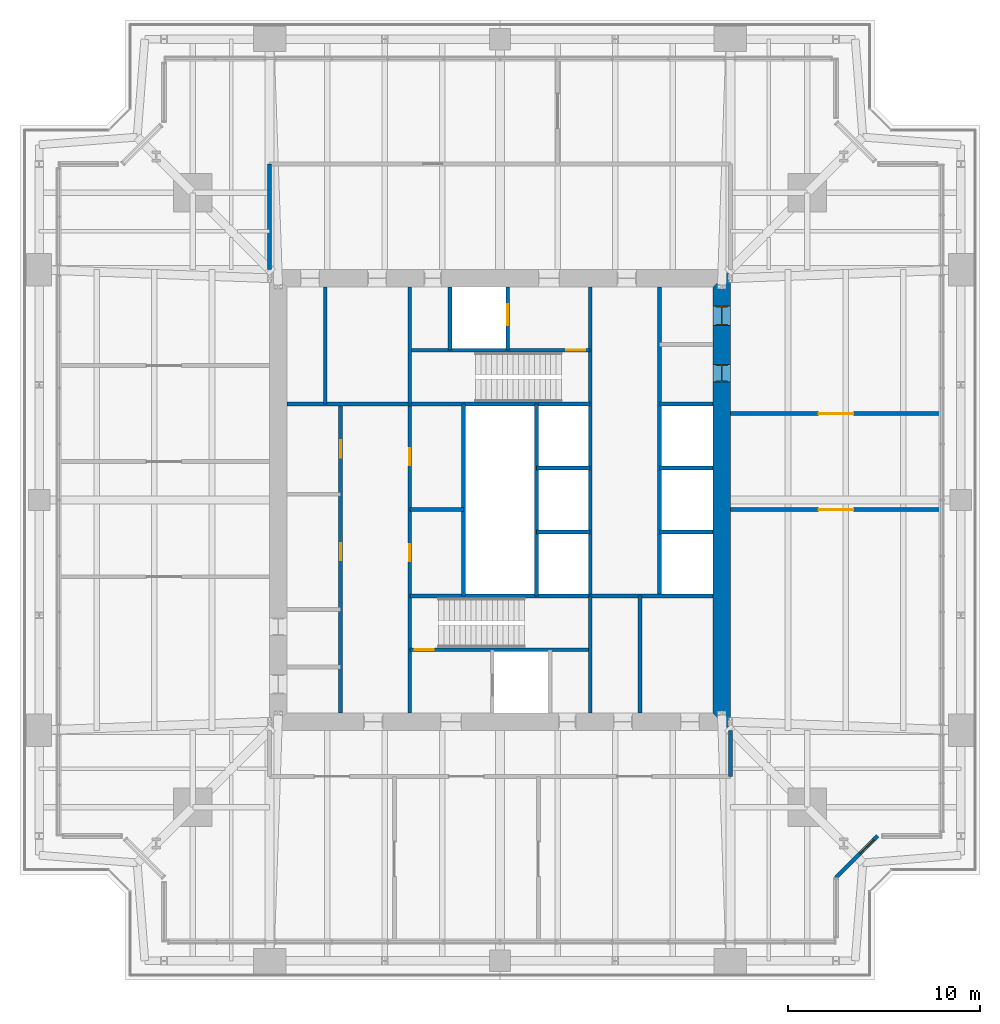
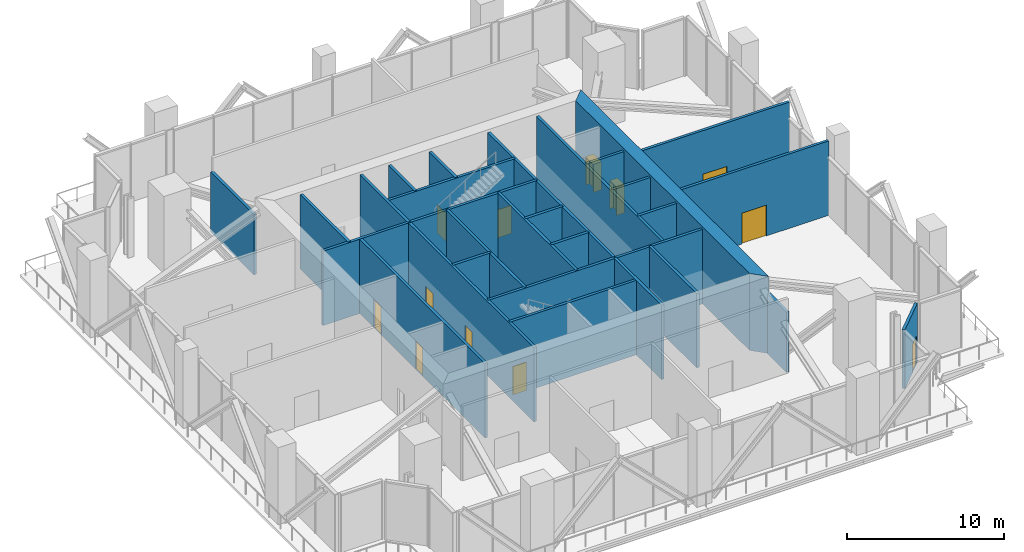
# One storey, part 10 of 14: 28 walls, 12 doors, 12 openings.
"""IFC4 building model written with IfcOpenShell, lengths in metres."""

from ifc_helpers import new_model, si_unit, direction, frame, frame_2d, origin, place, context, subcontext, project, spatial, polyline, rectangle, outline, extrude, material, layer, layer_set, type_object, element, fill, save


model = new_model("IFC4")

# Units and contexts
model_context = context("Model", 3, precision=1e-05, world=origin(), true_north=direction((0.0, 1.0)))
body_context = subcontext(model_context, "Body", "Model", "MODEL_VIEW")
ifc_project = project(units=[si_unit("LENGTHUNIT", "METRE"), si_unit("AREAUNIT", "SQUARE_METRE"), si_unit("VOLUMEUNIT", "CUBIC_METRE"), si_unit("PLANEANGLEUNIT", "RADIAN"), si_unit("MASSUNIT", "GRAM", prefix="KILO")], contexts=[model_context])

# Site, building, storey
site_placement = place(None, origin())
site = spatial("IfcSite", under=ifc_project, at=site_placement, CompositionType="ELEMENT")
building_placement = place(site_placement, origin())
building = spatial("IfcBuilding", under=site, at=building_placement, Name="Fenwick Lantern Interchange", CompositionType="ELEMENT")
storey_placement = place(building_placement, frame((0.0, 0.0, 233.800048828125)))
storey = spatial("IfcBuildingStorey", under=building, at=storey_placement, Name="L55", CompositionType="ELEMENT", Elevation=233.800048828125)

# Wall, openings, doors
ifc_material_1 = material(Name="Concrete masonry ASTM C90 Grade N", Category="masonry")
ifc_layer_1 = layer(ifc_material_1, 0.199951171875)
ifc_layer_set_1 = layer_set([ifc_layer_1], Name="Concrete masonry ASTM C90 Grade N")
wall_type_1 = type_object("IfcWallType", Name="CORE PARTITION 200", PredefinedType="PARTITIONING", material=ifc_layer_set_1)
wall_1_placement = place(storey_placement, frame((16.699951171875, 13.89990234375, 0.0), z_axis=(0.0, 0.0, 1.0), x_axis=(0.0, 1.0, 0.0)))
wall_1 = element("IfcWall", 1, at=wall_1_placement, inside=storey, type_object=wall_type_1, Name="L55/W/CORES/a", PredefinedType="PARTITIONING", context=body_context, shape_type="SweptSolid", body=[
    extrude(rectangle(XDim=16.10009765625, YDim=0.199951171875, at=frame_2d((8.050048828125, 0.0))), origin(), (0.0, 0.0, 1.0), 5.800048828125),
])
opening_1_placement = place(wall_1_placement, frame((7.949951171875, 0.0, 0.0)))
opening_1 = element("IfcOpeningElement", 2, at=opening_1_placement, cuts=wall_1, Name="Opening L55-D010", PredefinedType="OPENING", context=body_context, shape_type="SweptSolid", body=[
    extrude(rectangle(XDim=0.89990234375, YDim=2.199951171875, at=frame_2d((0.449951171875, 1.10009765625))), frame((0.0, 0.10986328125, 0.0), z_axis=(0.0, -1.0, 0.0), x_axis=(1.0, 0.0, 0.0)), (0.0, 0.0, 1.0), 0.219970703125),
])
opening_2_placement = place(wall_1_placement, frame((13.300048828125, 0.0, 0.0)))
opening_2 = element("IfcOpeningElement", 3, at=opening_2_placement, cuts=wall_1, Name="Opening L55-D011", PredefinedType="OPENING", context=body_context, shape_type="SweptSolid", body=[
    extrude(rectangle(XDim=0.89990234375, YDim=2.199951171875, at=frame_2d((0.449951171875, 1.10009765625))), frame((0.0, 0.10986328125, 0.0), z_axis=(0.0, -1.0, 0.0), x_axis=(1.0, 0.0, 0.0)), (0.0, 0.0, 1.0), 0.219970703125),
])
ifc_material_2 = material(Name="Steel door and frame", Category="steel")
door_type_1 = type_object("IfcDoorType", Name="SERVICE DOOR 900 X 2200", OperationType="SINGLE_SWING_LEFT", PredefinedType="DOOR", material=ifc_material_2)
door_1_placement = place(opening_1_placement, origin())
door_1 = element("IfcDoor", 4, at=door_1_placement, inside=storey, type_object=door_type_1, Name="Service door", OperationType="SINGLE_SWING_LEFT", OverallHeight=2.199951171875, OverallWidth=0.89990234375, PredefinedType="DOOR", context=body_context, shape_type="SweptSolid", body=[
    extrude(rectangle(XDim=0.89990234375, YDim=2.199951171875, at=frame_2d((0.449951171875, 1.10009765625))), frame((0.0, 0.02490234375, 0.0), z_axis=(0.0, -1.0, 0.0), x_axis=(1.0, 0.0, 0.0)), (0.0, 0.0, 1.0), 0.050048828125),
])
fill(opening_1, door_1)
door_2_placement = place(opening_2_placement, origin())
door_2 = element("IfcDoor", 5, at=door_2_placement, inside=storey, type_object=door_type_1, Name="Service door", OperationType="SINGLE_SWING_LEFT", OverallHeight=2.199951171875, OverallWidth=0.89990234375, PredefinedType="DOOR", context=body_context, shape_type="SweptSolid", body=[
    extrude(rectangle(XDim=0.89990234375, YDim=2.199951171875, at=frame_2d((0.449951171875, 1.10009765625))), frame((0.0, 0.02490234375, 0.0), z_axis=(0.0, -1.0, 0.0), x_axis=(1.0, 0.0, 0.0)), (0.0, 0.0, 1.0), 0.050048828125),
])
fill(opening_2, door_2)

# Walls
wall_2_placement = place(storey_placement, frame((23.10009765625, 20.0, 0.0), z_axis=(0.0, 0.0, 1.0), x_axis=(0.0, 1.0, 0.0)))
element("IfcWall", 6, at=wall_2_placement, inside=storey, type_object=wall_type_1, Name="L55/W/CORES/e3", PredefinedType="PARTITIONING", context=body_context, shape_type="SweptSolid", body=[
    extrude(rectangle(XDim=10.0, YDim=0.199951171875, at=frame_2d((5.0, 0.0))), origin(), (0.0, 0.0, 1.0), 5.800048828125),
])
wall_3_placement = place(storey_placement, frame((32.300048828125, 13.89990234375, 0.0), z_axis=(0.0, 0.0, 1.0), x_axis=(0.0, 1.0, 0.0)))
element("IfcWall", 7, at=wall_3_placement, inside=storey, type_object=wall_type_1, Name="L55/W/CORES/i2", PredefinedType="PARTITIONING", context=body_context, shape_type="SweptSolid", body=[
    extrude(rectangle(XDim=6.10009765625, YDim=0.199951171875, at=frame_2d((3.050048828125, 0.0))), origin(), (0.0, 0.0, 1.0), 5.800048828125),
])
wall_4_placement = place(storey_placement, frame((20.300048828125, 24.5, 0.0), z_axis=(0.0, 0.0, 1.0), x_axis=(1.0, 0.0, 0.0)))
element("IfcWall", 8, at=wall_4_placement, inside=storey, type_object=wall_type_1, Name="L55/W/CORES/q1", PredefinedType="PARTITIONING", context=body_context, shape_type="SweptSolid", body=[
    extrude(rectangle(XDim=2.800048828125, YDim=0.199951171875, at=frame_2d((1.39990234375, 0.0))), origin(), (0.0, 0.0, 1.0), 5.800048828125),
])
wall_5_placement = place(storey_placement, frame((33.300048828125, 36.10009765625, 0.0), z_axis=(0.0, 0.0, 1.0), x_axis=(0.0, -1.0, 0.0)))
element("IfcWall", 9, at=wall_5_placement, inside=storey, type_object=wall_type_1, Name="L55/W/COREN/a", PredefinedType="PARTITIONING", context=body_context, shape_type="SweptSolid", body=[
    extrude(rectangle(XDim=16.10009765625, YDim=0.199951171875, at=frame_2d((8.050048828125, 0.0))), origin(), (0.0, 0.0, 1.0), 5.800048828125),
])
for number, where, z_axis, x_axis, name in (
    (10, (36.10009765625, 30.0, 0.0), (0.0, 0.0, 1.0), (-1.0, 0.0, 0.0), "L55/W/COREN/c2"),
    (11, (36.10009765625, 26.666748046875, 0.0), (0.0, 0.0, 1.0), (-1.0, 0.0, 0.0), "L55/W/COREN/d1"),
    (12, (36.10009765625, 23.333251953125, 0.0), (0.0, 0.0, 1.0), (-1.0, 0.0, 0.0), "L55/W/COREN/d2"),
    (13, (29.699951171875, 26.666748046875, 0.0), (0.0, 0.0, 1.0), (-1.0, 0.0, 0.0), "L55/W/COREN/e1"),
    (14, (29.699951171875, 23.333251953125, 0.0), (0.0, 0.0, 1.0), (-1.0, 0.0, 0.0), "L55/W/COREN/e2"),
):
    element("IfcWall", number, at=place(storey_placement, frame(where, z_axis=z_axis, x_axis=x_axis)), inside=storey, type_object=wall_type_1, Name=name, PredefinedType="PARTITIONING", context=body_context, shape_type="SweptSolid", body=[
        extrude(rectangle(XDim=2.800048828125, YDim=0.199951171875, at=frame_2d((1.39990234375, 0.0))), origin(), (0.0, 0.0, 1.0), 5.800048828125),
    ])
wall_6_placement = place(storey_placement, frame((26.89990234375, 30.0, 0.0), z_axis=(0.0, 0.0, 1.0), x_axis=(0.0, -1.0, 0.0)))
element("IfcWall", 15, at=wall_6_placement, inside=storey, type_object=wall_type_1, Name="L55/W/COREN/e3", PredefinedType="PARTITIONING", context=body_context, shape_type="SweptSolid", body=[
    extrude(rectangle(XDim=10.0, YDim=0.199951171875, at=frame_2d((5.0, 0.0))), origin(), (0.0, 0.0, 1.0), 5.800048828125),
])

# Wall, opening, door
wall_7_placement = place(storey_placement, frame((25.39990234375, 36.10009765625, 0.0), z_axis=(0.0, 0.0, 1.0), x_axis=(0.0, -1.0, 0.0)))
wall_7 = element("IfcWall", 16, at=wall_7_placement, inside=storey, type_object=wall_type_1, Name="L55/W/COREN/h1", PredefinedType="PARTITIONING", context=body_context, shape_type="SweptSolid", body=[
    extrude(rectangle(XDim=3.300048828125, YDim=0.199951171875, at=frame_2d((1.64990234375, 0.0))), origin(), (0.0, 0.0, 1.0), 5.800048828125),
])
opening_3_placement = place(wall_7_placement, frame((0.89990234375, 0.0, 0.0)))
opening_3 = element("IfcOpeningElement", 17, at=opening_3_placement, cuts=wall_7, Name="Opening LD-FL2", PredefinedType="OPENING", context=body_context, shape_type="SweptSolid", body=[
    extrude(rectangle(XDim=1.10009765625, YDim=2.199951171875, at=frame_2d((0.550048828125, 1.10009765625))), frame((0.0, 0.10986328125, 0.0), z_axis=(0.0, -1.0, 0.0), x_axis=(1.0, 0.0, 0.0)), (0.0, 0.0, 1.0), 0.219970703125),
])
door_type_2 = type_object("IfcDoorType", Name="LIFT LANDING DOOR 1100 X 2200", OperationType="DOUBLE_DOOR_SLIDING", PredefinedType="DOOR", material=ifc_material_2)
door_3_placement = place(opening_3_placement, origin())
door_3 = element("IfcDoor", 18, at=door_3_placement, inside=storey, type_object=door_type_2, Name="Lift landing door FL2", OperationType="DOUBLE_DOOR_SLIDING", OverallHeight=2.199951171875, OverallWidth=1.10009765625, PredefinedType="DOOR", context=body_context, shape_type="SweptSolid", body=[
    extrude(rectangle(XDim=1.10009765625, YDim=2.199951171875, at=frame_2d((0.550048828125, 1.10009765625))), frame((0.0, 0.02490234375, 0.0), z_axis=(0.0, -1.0, 0.0), x_axis=(1.0, 0.0, 0.0)), (0.0, 0.0, 1.0), 0.050048828125),
])
fill(opening_3, door_3)

# Walls
wall_8_placement = place(storey_placement, frame((22.39990234375, 36.10009765625, 0.0), z_axis=(0.0, 0.0, 1.0), x_axis=(0.0, -1.0, 0.0)))
element("IfcWall", 19, at=wall_8_placement, inside=storey, type_object=wall_type_1, Name="L55/W/COREN/h2", PredefinedType="PARTITIONING", context=body_context, shape_type="SweptSolid", body=[
    extrude(rectangle(XDim=3.300048828125, YDim=0.199951171875, at=frame_2d((1.64990234375, 0.0))), origin(), (0.0, 0.0, 1.0), 5.800048828125),
])
wall_9_placement = place(storey_placement, frame((15.89990234375, 36.10009765625, 0.0), z_axis=(0.0, 0.0, 1.0), x_axis=(0.0, -1.0, 0.0)))
element("IfcWall", 20, at=wall_9_placement, inside=storey, type_object=wall_type_1, Name="L55/W/COREN/i2", PredefinedType="PARTITIONING", context=body_context, shape_type="SweptSolid", body=[
    extrude(rectangle(XDim=6.10009765625, YDim=0.199951171875, at=frame_2d((3.050048828125, 0.0))), origin(), (0.0, 0.0, 1.0), 5.800048828125),
])

# Wall, openings, doors
ifc_material_3 = material(Name="Concrete f'c 70 MPa", Category="concrete")
ifc_layer_2 = layer(ifc_material_3, 0.89990234375)
ifc_layer_set_2 = layer_set([ifc_layer_2], Name="CORE WALL 900")
wall_type_2 = type_object("IfcWallType", Name="CORE WALL 900", PredefinedType="SHEAR", material=ifc_layer_set_2)
wall_10_placement = place(storey_placement, frame((36.550048828125, 13.89990234375, 0.0), z_axis=(0.0, 0.0, 1.0), x_axis=(0.0, 1.0, 0.0)))
wall_10 = element("IfcWall", 21, at=wall_10_placement, inside=storey, type_object=wall_type_2, Name="L55/CORE/E", PredefinedType="SHEAR", context=body_context, shape_type="SweptSolid", body=[
    extrude(outline(polyline([(-0.89990234375, -0.449951171875), (23.10009765625, -0.449951171875), (22.199951171875, 0.449951171875), (0.0, 0.449951171875), (-0.89990234375, -0.449951171875)])), origin(), (0.0, 0.0, 1.0), 6.0),
])
opening_4_placement = place(wall_10_placement, frame((20.199951171875, 0.0, 0.0)))
opening_4 = element("IfcOpeningElement", 22, at=opening_4_placement, cuts=wall_10, Name="Opening L55-D020", PredefinedType="OPENING", context=body_context, shape_type="SweptSolid", body=[
    extrude(rectangle(XDim=1.0, YDim=2.199951171875, at=frame_2d((0.5, 1.10009765625))), frame((0.0, 0.4599609375, 0.0), z_axis=(0.0, -1.0, 0.0), x_axis=(1.0, 0.0, 0.0)), (0.0, 0.0, 1.0), 0.919921875),
])
opening_5_placement = place(wall_10_placement, frame((17.25, 0.0, 0.0)))
opening_5 = element("IfcOpeningElement", 23, at=opening_5_placement, cuts=wall_10, Name="Opening L55-D021", PredefinedType="OPENING", context=body_context, shape_type="SweptSolid", body=[
    extrude(rectangle(XDim=0.89990234375, YDim=2.199951171875, at=frame_2d((0.449951171875, 1.10009765625))), frame((0.0, 0.4599609375, 0.0), z_axis=(0.0, -1.0, 0.0), x_axis=(1.0, 0.0, 0.0)), (0.0, 0.0, 1.0), 0.919921875),
])
door_4_placement = place(opening_5_placement, origin())
door_4 = element("IfcDoor", 24, at=door_4_placement, inside=storey, type_object=door_type_1, Name="Service door", OperationType="SINGLE_SWING_RIGHT", OverallHeight=2.199951171875, OverallWidth=0.89990234375, PredefinedType="DOOR", context=body_context, shape_type="SweptSolid", body=[
    extrude(rectangle(XDim=0.89990234375, YDim=2.199951171875, at=frame_2d((0.449951171875, 1.10009765625))), frame((0.0, 0.02490234375, 0.0), z_axis=(0.0, -1.0, 0.0), x_axis=(1.0, 0.0, 0.0)), (0.0, 0.0, 1.0), 0.050048828125),
    extrude(outline(polyline([(0.0, 0.0), (0.0400390625, 0.0), (0.0400390625, 2.159912109375), (0.85986328125, 2.159912109375), (0.85986328125, 0.0), (0.89990234375, 0.0), (0.89990234375, 2.199951171875), (0.0, 2.199951171875), (0.0, 0.0)])), frame((0.0, 0.300048828125, 0.0), z_axis=(0.0, -1.0, 0.0), x_axis=(1.0, 0.0, 0.0)), (0.0, 0.0, 1.0), 0.60009765625),
])
fill(opening_5, door_4)
ifc_material_4 = material(Name="Hardwood door and steel frame", Category="steel")
door_type_3 = type_object("IfcDoorType", Name="WC DOOR 1000 X 2200", OperationType="SINGLE_SWING_LEFT", PredefinedType="DOOR", material=ifc_material_4)
door_5_placement = place(opening_4_placement, origin())
door_5 = element("IfcDoor", 25, at=door_5_placement, inside=storey, type_object=door_type_3, Name="Wc door", OperationType="SINGLE_SWING_LEFT", OverallHeight=2.199951171875, OverallWidth=1.0, PredefinedType="DOOR", context=body_context, shape_type="SweptSolid", body=[
    extrude(rectangle(XDim=1.0, YDim=2.199951171875, at=frame_2d((0.5, 1.10009765625))), frame((0.0, 0.02490234375, 0.0), z_axis=(0.0, -1.0, 0.0), x_axis=(1.0, 0.0, 0.0)), (0.0, 0.0, 1.0), 0.050048828125),
    extrude(outline(polyline([(0.0, 0.0), (0.0400390625, 0.0), (0.0400390625, 2.159912109375), (0.9599609375, 2.159912109375), (0.9599609375, 0.0), (1.0, 0.0), (1.0, 2.199951171875), (0.0, 2.199951171875), (0.0, 0.0)])), frame((0.0, 0.300048828125, 0.0), z_axis=(0.0, -1.0, 0.0), x_axis=(1.0, 0.0, 0.0)), (0.0, 0.0, 1.0), 0.60009765625),
])
fill(opening_4, door_5)

# Wall
ifc_layer_3 = layer(ifc_material_1, 0.199951171875)
ifc_layer_set_3 = layer_set([ifc_layer_3], Name="Concrete masonry ASTM C90 Grade N")
wall_type_3 = type_object("IfcWallType", Name="PLANT ROOM WALL 200", PredefinedType="PARTITIONING", material=ifc_layer_set_3)
wall_11_placement = place(storey_placement, frame((37.0, 10.60009765625, 0.0), z_axis=(0.0, 0.0, 1.0), x_axis=(0.0, 1.0, 0.0)))
element("IfcWall", 26, at=wall_11_placement, inside=storey, type_object=wall_type_3, Name="L55/W/FLOOR/PCS-B", PredefinedType="PARTITIONING", context=body_context, shape_type="SweptSolid", body=[
    extrude(rectangle(XDim=2.39990234375, YDim=0.199951171875, at=frame_2d((1.199951171875, 0.0))), origin(), (0.0, 0.0, 1.0), 4.705322265625),
])

# Wall, opening, door
wall_12_placement = place(storey_placement, frame((37.0, 24.5, 0.0), z_axis=(0.0, 0.0, 1.0), x_axis=(1.0, 0.0, 0.0)))
wall_12 = element("IfcWall", 27, at=wall_12_placement, inside=storey, type_object=wall_type_3, Name="L55/W/FLOOR/PW3", PredefinedType="PARTITIONING", context=body_context, shape_type="SweptSolid", body=[
    extrude(rectangle(XDim=11.0, YDim=0.199951171875, at=frame_2d((5.5, 0.0))), origin(), (0.0, 0.0, 1.0), 5.800048828125),
])
opening_6_placement = place(wall_12_placement, frame((4.60009765625, 0.0, 0.0)))
opening_6 = element("IfcOpeningElement", 28, at=opening_6_placement, cuts=wall_12, Name="Opening L55-D025", PredefinedType="OPENING", context=body_context, shape_type="SweptSolid", body=[
    extrude(rectangle(XDim=1.800048828125, YDim=2.39990234375, at=frame_2d((0.89990234375, 1.199951171875))), frame((0.0, 0.10986328125, 0.0), z_axis=(0.0, -1.0, 0.0), x_axis=(1.0, 0.0, 0.0)), (0.0, 0.0, 1.0), 0.219970703125),
])
door_type_4 = type_object("IfcDoorType", Name="ROOM DOOR PAIR 1800 X 2400", OperationType="DOUBLE_DOOR_SINGLE_SWING", PredefinedType="DOOR", material=ifc_material_2)
door_6_placement = place(opening_6_placement, origin())
door_6 = element("IfcDoor", 29, at=door_6_placement, inside=storey, type_object=door_type_4, Name="Room door pair", OperationType="DOUBLE_DOOR_SINGLE_SWING", OverallHeight=2.39990234375, OverallWidth=1.800048828125, PredefinedType="DOOR", context=body_context, shape_type="SweptSolid", body=[
    extrude(rectangle(XDim=1.800048828125, YDim=2.39990234375, at=frame_2d((0.89990234375, 1.199951171875))), frame((0.0, 0.02490234375, 0.0), z_axis=(0.0, -1.0, 0.0), x_axis=(1.0, 0.0, 0.0)), (0.0, 0.0, 1.0), 0.050048828125),
])
fill(opening_6, door_6)

wall_13_placement = place(storey_placement, frame((37.0, 29.5, 0.0), z_axis=(0.0, 0.0, 1.0), x_axis=(1.0, 0.0, 0.0)))
wall_13 = element("IfcWall", 30, at=wall_13_placement, inside=storey, type_object=wall_type_3, Name="L55/W/FLOOR/PW4", PredefinedType="PARTITIONING", context=body_context, shape_type="SweptSolid", body=[
    extrude(rectangle(XDim=11.0, YDim=0.199951171875, at=frame_2d((5.5, 0.0))), origin(), (0.0, 0.0, 1.0), 5.800048828125),
])
opening_7_placement = place(wall_13_placement, frame((4.60009765625, 0.0, 0.0)))
opening_7 = element("IfcOpeningElement", 31, at=opening_7_placement, cuts=wall_13, Name="Opening L55-D026", PredefinedType="OPENING", context=body_context, shape_type="SweptSolid", body=[
    extrude(rectangle(XDim=1.800048828125, YDim=2.39990234375, at=frame_2d((0.89990234375, 1.199951171875))), frame((0.0, 0.10986328125, 0.0), z_axis=(0.0, -1.0, 0.0), x_axis=(1.0, 0.0, 0.0)), (0.0, 0.0, 1.0), 0.219970703125),
])
door_7_placement = place(opening_7_placement, frame((1.800048828125, 0.0, 0.0), z_axis=(0.0, 0.0, 1.0), x_axis=(-1.0, 0.0, 0.0)))
door_7 = element("IfcDoor", 32, at=door_7_placement, inside=storey, type_object=door_type_4, Name="Room door pair", OperationType="DOUBLE_DOOR_SINGLE_SWING", OverallHeight=2.39990234375, OverallWidth=1.800048828125, PredefinedType="DOOR", context=body_context, shape_type="SweptSolid", body=[
    extrude(rectangle(XDim=1.800048828125, YDim=2.39990234375, at=frame_2d((0.89990234375, 1.199951171875))), frame((0.0, 0.02490234375, 0.0), z_axis=(0.0, -1.0, 0.0), x_axis=(1.0, 0.0, 0.0)), (0.0, 0.0, 1.0), 0.050048828125),
])
fill(opening_7, door_7)

ifc_material_5 = material(Name="Aluminium sheet", Category="aluminium")
ifc_layer_4 = layer(ifc_material_5, 0.0048828125)
ifc_material_6 = material(Name="Mineral wool insulation")
ifc_layer_5 = layer(ifc_material_6, 0.094970703125)
ifc_material_7 = material(Name="Cold-formed galvanised steel studs", Category="steel")
ifc_layer_6 = layer(ifc_material_7, 0.10009765625)
ifc_layer_set_4 = layer_set([ifc_layer_4, ifc_layer_5, ifc_layer_6], Name="Aluminium sheet")
wall_type_4 = type_object("IfcWallType", Name="PLANT SCREEN PANEL 200", PredefinedType="SOLIDWALL", material=ifc_layer_set_4)
wall_14_placement = place(storey_placement, frame((42.5, 5.328369140625, 0.0), z_axis=(0.0, 0.0, 1.0), x_axis=(0.707106781187, 0.707106781187, 0.0)))
wall_14 = element("IfcWall", 33, at=wall_14_placement, inside=storey, type_object=wall_type_4, Name="L55/CW/02W", PredefinedType="SOLIDWALL", context=body_context, shape_type="SweptSolid", body=[
    extrude(rectangle(XDim=3.071044921875, YDim=0.199951171875, at=frame_2d((1.53564453125, 0.0))), origin(), (0.0, 0.0, 1.0), 4.599853515625),
])
opening_8_placement = place(wall_14_placement, frame((1.78564453125, 0.0, 0.0)))
opening_8 = element("IfcOpeningElement", 34, at=opening_8_placement, cuts=wall_14, Name="Opening L55-D001", PredefinedType="OPENING", context=body_context, shape_type="SweptSolid", body=[
    extrude(rectangle(XDim=1.0, YDim=2.199951171875, at=frame_2d((0.5, 1.10009765625))), frame((0.0, 0.10986328125, 0.0), z_axis=(0.0, -1.0, 0.0), x_axis=(1.0, 0.0, 0.0)), (0.0, 0.0, 1.0), 0.219970703125),
])
ifc_material_8 = material(Name="Insulated steel door", Category="steel")
door_type_5 = type_object("IfcDoorType", Name="MAINTENANCE ACCESS DOOR 1000 X 2200", OperationType="SINGLE_SWING_RIGHT", PredefinedType="DOOR", material=ifc_material_8)
door_8_placement = place(opening_8_placement, origin())
door_8 = element("IfcDoor", 35, at=door_8_placement, inside=storey, type_object=door_type_5, Name="Maintenance access door", OperationType="SINGLE_SWING_RIGHT", OverallHeight=2.199951171875, OverallWidth=1.0, PredefinedType="DOOR", context=body_context, shape_type="SweptSolid", body=[
    extrude(rectangle(XDim=1.0, YDim=2.199951171875, at=frame_2d((0.5, 1.10009765625))), frame((0.0, 0.02490234375, 0.0), z_axis=(0.0, -1.0, 0.0), x_axis=(1.0, 0.0, 0.0)), (0.0, 0.0, 1.0), 0.050048828125),
])
fill(opening_8, door_8)

# Wall
ifc_layer_7 = layer(ifc_material_1, 0.199951171875)
ifc_layer_set_5 = layer_set([ifc_layer_7], Name="Concrete masonry ASTM C90 Grade N")
wall_type_5 = type_object("IfcWallType", Name="REFUGE WALL 200", PredefinedType="PARTITIONING", material=ifc_layer_set_5)
wall_15_placement = place(storey_placement, frame((13.0, 37.0, 0.0), z_axis=(0.0, 0.0, 1.0), x_axis=(0.0, 1.0, 0.0)))
element("IfcWall", 36, at=wall_15_placement, inside=storey, type_object=wall_type_5, Name="L55/W/FLOOR/REF-X", PredefinedType="PARTITIONING", context=body_context, shape_type="SweptSolid", body=[
    extrude(rectangle(XDim=5.5, YDim=0.199951171875, at=frame_2d((2.75, 0.0))), origin(), (0.0, 0.0, 1.0), 4.705322265625),
])

# Wall, openings, doors
ifc_material_9 = material(Name="Concrete f'c 45 MPa", Category="concrete")
ifc_layer_8 = layer(ifc_material_9, 0.199951171875)
ifc_layer_set_6 = layer_set([ifc_layer_8], Name="STAIR CORE WALL 200")
wall_type_6 = type_object("IfcWallType", Name="STAIR CORE WALL 200", PredefinedType="SOLIDWALL", material=ifc_layer_set_6)
wall_16_placement = place(storey_placement, frame((20.300048828125, 13.89990234375, 0.0), z_axis=(0.0, 0.0, 1.0), x_axis=(0.0, 1.0, 0.0)))
wall_16 = element("IfcWall", 37, at=wall_16_placement, inside=storey, type_object=wall_type_6, Name="L55/W/CORES/b", PredefinedType="SOLIDWALL", context=body_context, shape_type="SweptSolid", body=[
    extrude(rectangle(XDim=16.10009765625, YDim=0.199951171875, at=frame_2d((8.050048828125, 0.0))), origin(), (0.0, 0.0, 1.0), 5.800048828125),
])
opening_9_placement = place(wall_16_placement, frame((7.89990234375, 0.0, 0.0)))
opening_9 = element("IfcOpeningElement", 38, at=opening_9_placement, cuts=wall_16, Name="Opening L55-D012", PredefinedType="OPENING", context=body_context, shape_type="SweptSolid", body=[
    extrude(rectangle(XDim=0.89990234375, YDim=2.199951171875, at=frame_2d((0.449951171875, 1.10009765625))), frame((0.0, 0.10986328125, 0.0), z_axis=(0.0, -1.0, 0.0), x_axis=(1.0, 0.0, 0.0)), (0.0, 0.0, 1.0), 0.219970703125),
])
opening_10_placement = place(wall_16_placement, frame((12.89990234375, 0.0, 0.0)))
opening_10 = element("IfcOpeningElement", 39, at=opening_10_placement, cuts=wall_16, Name="Opening L55-D013", PredefinedType="OPENING", context=body_context, shape_type="SweptSolid", body=[
    extrude(rectangle(XDim=0.89990234375, YDim=2.199951171875, at=frame_2d((0.449951171875, 1.10009765625))), frame((0.0, 0.10986328125, 0.0), z_axis=(0.0, -1.0, 0.0), x_axis=(1.0, 0.0, 0.0)), (0.0, 0.0, 1.0), 0.219970703125),
])
door_9_placement = place(opening_9_placement, frame((0.89990234375, 0.0, 0.0), z_axis=(0.0, 0.0, 1.0), x_axis=(-1.0, 0.0, 0.0)))
door_9 = element("IfcDoor", 40, at=door_9_placement, inside=storey, type_object=door_type_1, Name="Service door", OperationType="SINGLE_SWING_RIGHT", OverallHeight=2.199951171875, OverallWidth=0.89990234375, PredefinedType="DOOR", context=body_context, shape_type="SweptSolid", body=[
    extrude(rectangle(XDim=0.89990234375, YDim=2.199951171875, at=frame_2d((0.449951171875, 1.10009765625))), frame((0.0, 0.02490234375, 0.0), z_axis=(0.0, -1.0, 0.0), x_axis=(1.0, 0.0, 0.0)), (0.0, 0.0, 1.0), 0.050048828125),
])
fill(opening_9, door_9)
door_10_placement = place(opening_10_placement, frame((0.89990234375, 0.0, 0.0), z_axis=(0.0, 0.0, 1.0), x_axis=(-1.0, 0.0, 0.0)))
door_10 = element("IfcDoor", 41, at=door_10_placement, inside=storey, type_object=door_type_1, Name="Service door", OperationType="SINGLE_SWING_RIGHT", OverallHeight=2.199951171875, OverallWidth=0.89990234375, PredefinedType="DOOR", context=body_context, shape_type="SweptSolid", body=[
    extrude(rectangle(XDim=0.89990234375, YDim=2.199951171875, at=frame_2d((0.449951171875, 1.10009765625))), frame((0.0, 0.02490234375, 0.0), z_axis=(0.0, -1.0, 0.0), x_axis=(1.0, 0.0, 0.0)), (0.0, 0.0, 1.0), 0.050048828125),
])
fill(opening_10, door_10)

# Wall, opening, door
wall_17_placement = place(storey_placement, frame((20.300048828125, 17.199951171875, 0.0), z_axis=(0.0, 0.0, 1.0), x_axis=(1.0, 0.0, 0.0)))
wall_17 = element("IfcWall", 42, at=wall_17_placement, inside=storey, type_object=wall_type_6, Name="L55/W/CORES/g1", PredefinedType="SOLIDWALL", context=body_context, shape_type="SweptSolid", body=[
    extrude(rectangle(XDim=9.39990234375, YDim=0.199951171875, at=frame_2d((4.699951171875, 0.0))), origin(), (0.0, 0.0, 1.0), 5.800048828125),
])
opening_11_placement = place(wall_17_placement, frame((0.25, 0.0, 0.0)))
opening_11 = element("IfcOpeningElement", 43, at=opening_11_placement, cuts=wall_17, Name="Opening L55-D004", PredefinedType="OPENING", context=body_context, shape_type="SweptSolid", body=[
    extrude(rectangle(XDim=1.0, YDim=2.199951171875, at=frame_2d((0.5, 1.10009765625))), frame((0.0, 0.10986328125, 0.0), z_axis=(0.0, -1.0, 0.0), x_axis=(1.0, 0.0, 0.0)), (0.0, 0.0, 1.0), 0.219970703125),
])
door_type_6 = type_object("IfcDoorType", Name="STAIR DOOR 1000 X 2200", OperationType="SINGLE_SWING_LEFT", PredefinedType="DOOR", material=ifc_material_2)
door_11_placement = place(opening_11_placement, origin())
door_11 = element("IfcDoor", 44, at=door_11_placement, inside=storey, type_object=door_type_6, Name="Stair door", OperationType="SINGLE_SWING_LEFT", OverallHeight=2.199951171875, OverallWidth=1.0, PredefinedType="DOOR", context=body_context, shape_type="SweptSolid", body=[
    extrude(rectangle(XDim=1.0, YDim=2.199951171875, at=frame_2d((0.5, 1.10009765625))), frame((0.0, 0.02490234375, 0.0), z_axis=(0.0, -1.0, 0.0), x_axis=(1.0, 0.0, 0.0)), (0.0, 0.0, 1.0), 0.050048828125),
])
fill(opening_11, door_11)

# Walls
wall_18_placement = place(storey_placement, frame((20.300048828125, 20.0, 0.0), z_axis=(0.0, 0.0, 1.0), x_axis=(1.0, 0.0, 0.0)))
element("IfcWall", 45, at=wall_18_placement, inside=storey, type_object=wall_type_6, Name="L55/W/CORES/g2", PredefinedType="SOLIDWALL", context=body_context, shape_type="SweptSolid", body=[
    extrude(rectangle(XDim=15.800048828125, YDim=0.199951171875, at=frame_2d((7.89990234375, 0.0))), origin(), (0.0, 0.0, 1.0), 5.800048828125),
])
wall_19_placement = place(storey_placement, frame((29.699951171875, 13.89990234375, 0.0), z_axis=(0.0, 0.0, 1.0), x_axis=(0.0, 1.0, 0.0)))
element("IfcWall", 46, at=wall_19_placement, inside=storey, type_object=wall_type_6, Name="L55/W/CORES/i1", PredefinedType="SOLIDWALL", context=body_context, shape_type="SweptSolid", body=[
    extrude(rectangle(XDim=6.10009765625, YDim=0.199951171875, at=frame_2d((3.050048828125, 0.0))), origin(), (0.0, 0.0, 1.0), 5.800048828125),
])
wall_20_placement = place(storey_placement, frame((29.699951171875, 36.10009765625, 0.0), z_axis=(0.0, 0.0, 1.0), x_axis=(0.0, -1.0, 0.0)))
element("IfcWall", 47, at=wall_20_placement, inside=storey, type_object=wall_type_6, Name="L55/W/COREN/b", PredefinedType="SOLIDWALL", context=body_context, shape_type="SweptSolid", body=[
    extrude(rectangle(XDim=16.10009765625, YDim=0.199951171875, at=frame_2d((8.050048828125, 0.0))), origin(), (0.0, 0.0, 1.0), 5.800048828125),
])

# Wall, opening, door
wall_21_placement = place(storey_placement, frame((29.699951171875, 32.800048828125, 0.0), z_axis=(0.0, 0.0, 1.0), x_axis=(-1.0, 0.0, 0.0)))
wall_21 = element("IfcWall", 48, at=wall_21_placement, inside=storey, type_object=wall_type_6, Name="L55/W/COREN/g1", PredefinedType="SOLIDWALL", context=body_context, shape_type="SweptSolid", body=[
    extrude(rectangle(XDim=9.39990234375, YDim=0.199951171875, at=frame_2d((4.699951171875, 0.0))), origin(), (0.0, 0.0, 1.0), 5.800048828125),
])
opening_12_placement = place(wall_21_placement, frame((0.25, 0.0, 0.0)))
opening_12 = element("IfcOpeningElement", 49, at=opening_12_placement, cuts=wall_21, Name="Opening L55-D016", PredefinedType="OPENING", context=body_context, shape_type="SweptSolid", body=[
    extrude(rectangle(XDim=1.0, YDim=2.199951171875, at=frame_2d((0.5, 1.10009765625))), frame((0.0, 0.10986328125, 0.0), z_axis=(0.0, -1.0, 0.0), x_axis=(1.0, 0.0, 0.0)), (0.0, 0.0, 1.0), 0.219970703125),
])
door_12_placement = place(opening_12_placement, origin())
door_12 = element("IfcDoor", 50, at=door_12_placement, inside=storey, type_object=door_type_6, Name="Stair door", OperationType="SINGLE_SWING_LEFT", OverallHeight=2.199951171875, OverallWidth=1.0, PredefinedType="DOOR", context=body_context, shape_type="SweptSolid", body=[
    extrude(rectangle(XDim=1.0, YDim=2.199951171875, at=frame_2d((0.5, 1.10009765625))), frame((0.0, 0.02490234375, 0.0), z_axis=(0.0, -1.0, 0.0), x_axis=(1.0, 0.0, 0.0)), (0.0, 0.0, 1.0), 0.050048828125),
])
fill(opening_12, door_12)

# Walls
wall_22_placement = place(storey_placement, frame((29.699951171875, 30.0, 0.0), z_axis=(0.0, 0.0, 1.0), x_axis=(-1.0, 0.0, 0.0)))
element("IfcWall", 51, at=wall_22_placement, inside=storey, type_object=wall_type_6, Name="L55/W/COREN/g2", PredefinedType="SOLIDWALL", context=body_context, shape_type="SweptSolid", body=[
    extrude(rectangle(XDim=15.800048828125, YDim=0.199951171875, at=frame_2d((7.89990234375, 0.0))), origin(), (0.0, 0.0, 1.0), 5.800048828125),
])
wall_23_placement = place(storey_placement, frame((20.300048828125, 36.10009765625, 0.0), z_axis=(0.0, 0.0, 1.0), x_axis=(0.0, -1.0, 0.0)))
element("IfcWall", 52, at=wall_23_placement, inside=storey, type_object=wall_type_6, Name="L55/W/COREN/i1", PredefinedType="SOLIDWALL", context=body_context, shape_type="SweptSolid", body=[
    extrude(rectangle(XDim=6.10009765625, YDim=0.199951171875, at=frame_2d((3.050048828125, 0.0))), origin(), (0.0, 0.0, 1.0), 5.800048828125),
])

save(model, "model.ifc")
